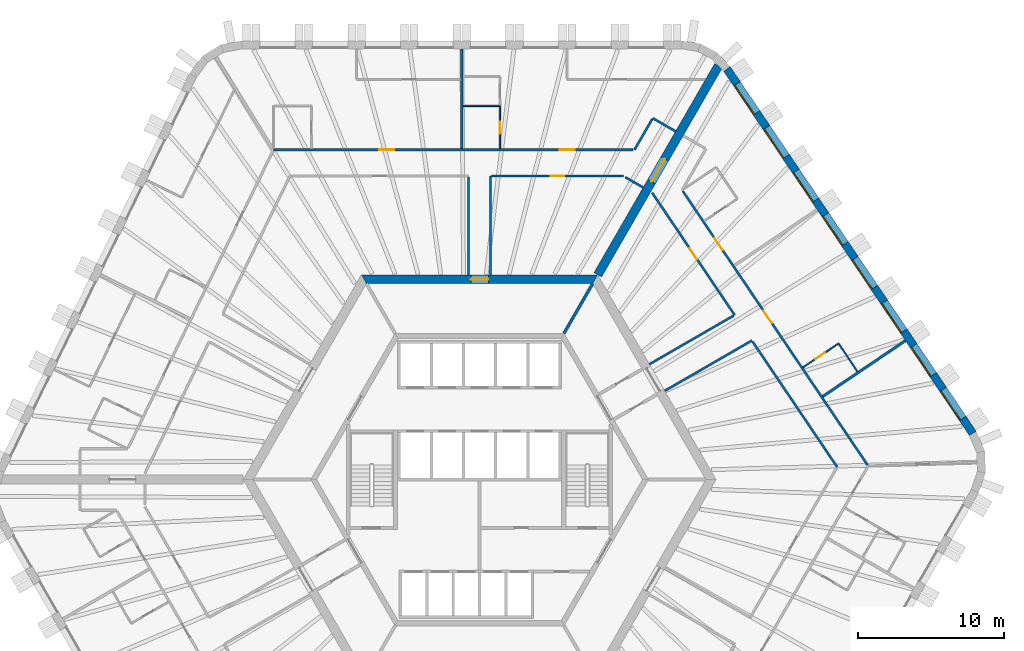
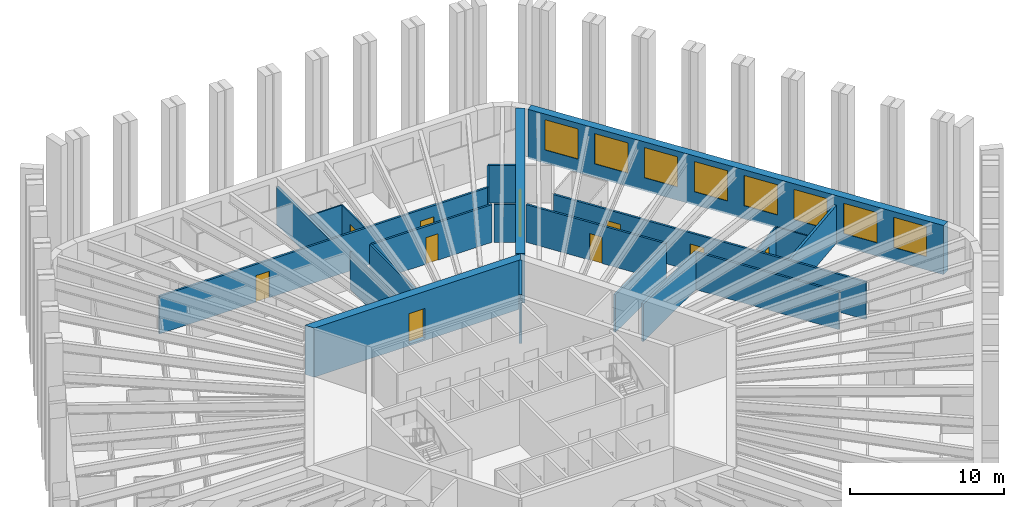
# One storey, part 9 of 12: 22 walls, 10 doors, 8 windows, 18 openings.
"""IFC4 building model written with IfcOpenShell, lengths in metres."""

import ifcopenshell
import ifcopenshell.guid

model = None  # the IFC model being written
_history = None  # IfcOwnerHistory: only IFC2X3 demands one
_inside = {}  # id of a spatial element -> (the spatial element, [elements in it])
_under = {}  # id of a project, library or spatial element -> (it, [spatial elements below it])
_declared = {}  # id of a project -> (the project, [libraries it declares])
_typed = {}  # id of a type object -> (the type object, [elements of that type])
_made_of = {}  # id of a material, layer set ... -> (it, [elements and type objects made of it])


def new_model(schema):
    """Start an empty IFC model of exactly this schema.

    Asked for "IFC4X3", IfcOpenShell would pick the latest addendum, in which some entities
    have other attributes; the version numbers below select the first issue.
    IFC2X3 requires an IfcOwnerHistory on every rooted entity: one is made here for all.
    """
    global model, _history
    if schema == "IFC4X3":
        model = ifcopenshell.file(schema_version=(4, 3, 0, 0))
    else:
        model = ifcopenshell.file(schema=schema)
    _inside.clear()
    _under.clear()
    _declared.clear()
    _typed.clear()
    _made_of.clear()
    _history = None
    if model.schema == "IFC2X3":
        org = make("IfcOrganization", Name="unknown")
        user = make(
            "IfcPersonAndOrganization",
            ThePerson=make("IfcPerson", FamilyName="unknown"),
            TheOrganization=org,
        )
        app = make(
            "IfcApplication",
            ApplicationDeveloper=org,
            Version="unknown",
            ApplicationFullName="unknown",
            ApplicationIdentifier="unknown",
        )
        _history = make(
            "IfcOwnerHistory",
            OwningUser=user,
            OwningApplication=app,
            ChangeAction="ADDED",
            CreationDate=0,
        )
    return model


def make(cls, **values):
    """One entity of the class cls with the attributes given. An attribute that is None is left unset."""
    return model.create_entity(
        cls, **{name: value for name, value in values.items() if value is not None}
    )


def rooted(cls, **values):
    """An entity with a GlobalId (a new one), such as an element, a storey or a relation."""
    return make(cls, GlobalId=ifcopenshell.guid.new(), OwnerHistory=_history, **values)


def si_unit(unit_type, name, prefix=None):
    """IfcSIUnit, for example si_unit("LENGTHUNIT", "METRE", prefix="MILLI")."""
    return make("IfcSIUnit", UnitType=unit_type, Prefix=prefix, Name=name)


def assignment(units):
    """IfcUnitAssignment: the units of a project."""
    return None if units is None else make("IfcUnitAssignment", Units=units)


def point(xyz):
    """IfcCartesianPoint."""
    return None if xyz is None else make("IfcCartesianPoint", Coordinates=xyz)


def direction(xyz):
    """IfcDirection."""
    return None if xyz is None else make("IfcDirection", DirectionRatios=xyz)


def frame(location, z_axis=None, x_axis=None):
    """IfcAxis2Placement3D, a coordinate frame: its origin and axes. An axis left out is left unset."""
    return make(
        "IfcAxis2Placement3D",
        Location=point(location),
        Axis=direction(z_axis),
        RefDirection=direction(x_axis),
    )


def frame_2d(location, x_axis=None):
    """IfcAxis2Placement2D, a coordinate frame in the plane: its origin and x axis."""
    return make(
        "IfcAxis2Placement2D", Location=point(location), RefDirection=direction(x_axis)
    )


def origin():
    """The frame at (0, 0, 0) with its axes left unset."""
    return frame((0.0, 0.0, 0.0))


def place(relative_to, where):
    """IfcLocalPlacement: puts the frame where relative to a parent placement (None: the world)."""
    return make(
        "IfcLocalPlacement", PlacementRelTo=relative_to, RelativePlacement=where
    )


def context(
    kind, dimensions, precision=None, world=None, true_north=None, identifier=None
):
    """IfcGeometricRepresentationContext, for example the 3D "Model" context."""
    return make(
        "IfcGeometricRepresentationContext",
        ContextIdentifier=identifier,
        ContextType=kind,
        CoordinateSpaceDimension=dimensions,
        Precision=precision,
        WorldCoordinateSystem=world,
        TrueNorth=true_north,
    )


def subcontext(parent, identifier, kind, view, scale=None):
    """IfcGeometricRepresentationSubContext, for example "Body" below "Model"."""
    return make(
        "IfcGeometricRepresentationSubContext",
        ContextIdentifier=identifier,
        ContextType=kind,
        ParentContext=parent,
        TargetScale=scale,
        TargetView=view,
    )


def project(units=None, contexts=None):
    """IfcProject with its units and contexts."""
    return rooted(
        "IfcProject",
        Name="project",
        RepresentationContexts=contexts,
        UnitsInContext=assignment(units),
    )


def spatial(cls, under=None, at=None, **own):
    """A site, building, storey or space (cls), placed at a placement, below another one or the project."""
    s = rooted(cls, ObjectPlacement=at, **own)
    if under is not None:
        _under.setdefault(under.id(), (under, []))[1].append(s)
    return s


def polyline(points):
    """IfcPolyline through the points."""
    return make("IfcPolyline", Points=[point(p) for p in points])


def profile(cls, at=None, kind="AREA", **sizes):
    """A parametric profile (cls). Its sizes go by their IFC names, for example OverallWidth=200.0."""
    return make(cls, ProfileType=kind, Position=at, **sizes)


def rectangle(**sizes):
    """IfcRectangleProfileDef."""
    return profile("IfcRectangleProfileDef", **sizes)


def outline(outer, holes=None, kind="AREA"):
    """IfcArbitraryClosedProfileDef: a profile drawn as a closed curve; with holes, ...WithVoids."""
    if holes is None:
        return make("IfcArbitraryClosedProfileDef", ProfileType=kind, OuterCurve=outer)
    return make(
        "IfcArbitraryProfileDefWithVoids",
        ProfileType=kind,
        OuterCurve=outer,
        InnerCurves=holes,
    )


def extrude(swept, where, along, depth):
    """IfcExtrudedAreaSolid: the profile swept, set in the frame where, extruded along a direction by depth."""
    return make(
        "IfcExtrudedAreaSolid",
        SweptArea=swept,
        Position=where,
        ExtrudedDirection=direction(along),
        Depth=depth,
    )


def shape(context_of_items, identifier, shape_type, items):
    """IfcShapeRepresentation: the items that make up one representation, for example the "Body"."""
    return make(
        "IfcShapeRepresentation",
        ContextOfItems=context_of_items,
        RepresentationIdentifier=identifier,
        RepresentationType=shape_type,
        Items=items,
    )


def material(Name=None, Category=None):
    """IfcMaterial."""
    return make("IfcMaterial", Name=Name, Category=Category)


def layer(
    of_material, thickness, ventilated=None, Name=None, Category=None, Priority=None
):
    """IfcMaterialLayer: one layer of a wall or slab, of a material (None: an air gap)."""
    return make(
        "IfcMaterialLayer",
        Material=of_material,
        LayerThickness=thickness,
        IsVentilated=ventilated,
        Name=Name,
        Category=Category,
        Priority=Priority,
    )


def layer_set(layers, Name=None):
    """IfcMaterialLayerSet."""
    return make("IfcMaterialLayerSet", MaterialLayers=layers, LayerSetName=Name)


def made_of(thing, what):
    """Note that an element or type object is made of a material, layer set ...; save() writes the relation."""
    if what is not None:
        _made_of.setdefault(what.id(), (what, []))[1].append(thing)
    return thing


def type_object(cls, material=None, **own):
    """A type object (cls), such as IfcWallType, which elements share."""
    return made_of(rooted(cls, **own), material)


def element(
    cls,
    number,
    at=None,
    inside=None,
    cuts=None,
    type_object=None,
    material=None,
    context=None,
    identifier="Body",
    shape_type=None,
    held_by="IfcProductDefinitionShape",
    body=None,
    shapes=None,
    **own,
):
    """One element of the class cls, such as IfcWall. Its Tag is "e" and its number.

    at: its placement. inside: the storey or other place that contains it. cuts: it is an
    opening in that element (IfcRelVoidsElement). A single representation is given by context,
    identifier, shape_type and body (its items); several are given by shapes. held_by: the class
    of the entity that holds the representations. save() writes the other relations.
    """
    e = rooted(cls, Tag="e%d" % number, ObjectPlacement=at, **own)
    if body is not None:
        shapes = [shape(context, identifier, shape_type, body)]
    if shapes is not None:
        e.Representation = make(held_by, Representations=shapes)
    if inside is not None:
        _inside.setdefault(inside.id(), (inside, []))[1].append(e)
    if cuts is not None:
        rooted(
            "IfcRelVoidsElement", RelatingBuildingElement=cuts, RelatedOpeningElement=e
        )
    if type_object is not None:
        _typed.setdefault(type_object.id(), (type_object, []))[1].append(e)
    return made_of(e, material)


def fill(opening, filler):
    """IfcRelFillsElement: the door or window that sits in an opening."""
    return rooted(
        "IfcRelFillsElement",
        RelatingOpeningElement=opening,
        RelatedBuildingElement=filler,
    )


def aggregate(whole, parts):
    """IfcRelAggregates: a whole, such as a stair, and the parts it consists of."""
    return rooted("IfcRelAggregates", RelatingObject=whole, RelatedObjects=parts)


def save(model, path):
    """Write the relations noted so far, then the file.

    IfcRelAggregates (storeys below a building ...), IfcRelContainedInSpatialStructure (elements
    in a storey), IfcRelDefinesByType, IfcRelAssociatesMaterial and IfcRelDeclares: one each for
    every whole, place, type object, material and project.
    """
    for whole, parts in _under.values():
        aggregate(whole, parts)
    for where, things in _inside.values():
        rooted(
            "IfcRelContainedInSpatialStructure",
            RelatedElements=things,
            RelatingStructure=where,
        )
    for kind, things in _typed.values():
        rooted("IfcRelDefinesByType", RelatedObjects=things, RelatingType=kind)
    for what, things in _made_of.values():
        rooted("IfcRelAssociatesMaterial", RelatedObjects=things, RelatingMaterial=what)
    for by, libraries in _declared.values():
        rooted("IfcRelDeclares", RelatingContext=by, RelatedDefinitions=libraries)
    model.write(path)


model = new_model("IFC4")

# Units and contexts
model_context = context("Model", 3, precision=1e-05, world=origin(), true_north=direction((0.0, 1.0)))
body_context = subcontext(model_context, "Body", "Model", "MODEL_VIEW")
ifc_project = project(units=[si_unit("LENGTHUNIT", "METRE"), si_unit("AREAUNIT", "SQUARE_METRE"), si_unit("VOLUMEUNIT", "CUBIC_METRE"), si_unit("PLANEANGLEUNIT", "RADIAN"), si_unit("MASSUNIT", "GRAM", prefix="KILO")], contexts=[model_context])

# Site, building, storey
site_placement = place(None, origin())
site = spatial("IfcSite", under=ifc_project, at=site_placement, CompositionType="ELEMENT")
building_placement = place(site_placement, origin())
building = spatial("IfcBuilding", under=site, at=building_placement, Name="Tarnside Tower", CompositionType="ELEMENT")
storey_placement = place(building_placement, frame((0.0, 0.0, 49.199951171875)))
storey = spatial("IfcBuildingStorey", under=building, at=storey_placement, Name="L09", CompositionType="ELEMENT", Elevation=49.199951171875)

# Wall, opening, door
ifc_material_1 = material(Name="Gypsum board partition on steel studs", Category="steel")
ifc_layer_1 = layer(ifc_material_1, 0.10009765625)
ifc_layer_set_1 = layer_set([ifc_layer_1], Name="Bathroom wall 100")
wall_type_1 = type_object("IfcWallType", Name="Bathroom wall 100", PredefinedType="PARTITIONING", material=ifc_layer_set_1)
wall_1_placement = place(storey_placement, frame((1.388916015625, 25.550048828125, 0.0), z_axis=(0.0, 0.0, 1.0), x_axis=(0.0, -1.0, 0.0)))
wall_1 = element("IfcWall", 1, at=wall_1_placement, inside=storey, type_object=wall_type_1, Name="Bathroom wall 02072", PredefinedType="PARTITIONING", context=body_context, shape_type="SweptSolid", body=[
    extrude(rectangle(XDim=2.925048828125, YDim=0.10009765625, at=frame_2d((1.46240234375, 0.0))), origin(), (0.0, 0.0, 1.0), 2.98779296875),
])
opening_1_placement = place(wall_1_placement, frame((1.10009765625, 0.0, 0.0)))
opening_1 = element("IfcOpeningElement", 2, at=opening_1_placement, cuts=wall_1, Name="Opening D-B1", PredefinedType="OPENING", context=body_context, shape_type="SweptSolid", body=[
    extrude(rectangle(XDim=0.800048828125, YDim=2.10009765625, at=frame_2d((0.39990234375, 1.050048828125))), frame((0.0, 0.06005859375, 0.0), z_axis=(0.0, -1.0, 0.0), x_axis=(1.0, 0.0, 0.0)), (0.0, 0.0, 1.0), 0.1201171875),
])
ifc_material_2 = material(Name="Timber door leaf", Category="wood")
door_type_1 = type_object("IfcDoorType", Name="Bathroom door 800", OperationType="NOTDEFINED", PredefinedType="DOOR", material=ifc_material_2)
door_1_placement = place(opening_1_placement, origin())
door_1 = element("IfcDoor", 3, at=door_1_placement, inside=storey, type_object=door_type_1, Name="Bathroom door 02002", OperationType="SINGLE_SWING_LEFT", OverallHeight=2.10009765625, OverallWidth=0.800048828125, PredefinedType="DOOR", context=body_context, shape_type="SweptSolid", body=[
    extrude(rectangle(XDim=0.800048828125, YDim=2.10009765625, at=frame_2d((0.39990234375, 1.050048828125))), frame((0.0, 0.02490234375, 0.0), z_axis=(0.0, -1.0, 0.0), x_axis=(1.0, 0.0, 0.0)), (0.0, 0.0, 1.0), 0.050048828125),
])
fill(opening_1, door_1)

# Wall
wall_2_placement = place(storey_placement, frame((1.3388671875, 25.550048828125, 0.0), z_axis=(0.0, 0.0, 1.0), x_axis=(-1.0, 0.0, 0.0)))
element("IfcWall", 4, at=wall_2_placement, inside=storey, type_object=wall_type_1, Name="Bathroom wall 02078", PredefinedType="PARTITIONING", context=body_context, shape_type="SweptSolid", body=[
    extrude(rectangle(XDim=2.4599609375, YDim=0.10009765625, at=frame_2d((1.22998046875, 0.0))), origin(), (0.0, 0.0, 1.0), 2.98779296875),
])

# Wall, opening, door
wall_3_placement = place(storey_placement, frame((22.118408203125, 7.668212890625, 0.0), z_axis=(0.0, 0.0, 1.0), x_axis=(0.829007334469, 0.559237730663, 0.0)))
wall_3 = element("IfcWall", 5, at=wall_3_placement, inside=storey, type_object=wall_type_1, Name="Bathroom wall 02148", PredefinedType="PARTITIONING", context=body_context, shape_type="SweptSolid", body=[
    extrude(rectangle(XDim=2.925048828125, YDim=0.10009765625, at=frame_2d((1.46240234375, 0.0))), origin(), (0.0, 0.0, 1.0), 2.98779296875),
])
opening_2_placement = place(wall_3_placement, frame((1.02490234375, 0.0, 0.0)))
opening_2 = element("IfcOpeningElement", 6, at=opening_2_placement, cuts=wall_3, Name="Opening D-B1", PredefinedType="OPENING", context=body_context, shape_type="SweptSolid", body=[
    extrude(rectangle(XDim=0.800048828125, YDim=2.10009765625, at=frame_2d((0.39990234375, 1.050048828125))), frame((0.0, 0.06005859375, 0.0), z_axis=(0.0, -1.0, 0.0), x_axis=(1.0, 0.0, 0.0)), (0.0, 0.0, 1.0), 0.1201171875),
])
door_2_placement = place(opening_2_placement, origin())
door_2 = element("IfcDoor", 7, at=door_2_placement, inside=storey, type_object=door_type_1, Name="Bathroom door 02038", OperationType="SINGLE_SWING_RIGHT", OverallHeight=2.10009765625, OverallWidth=0.800048828125, PredefinedType="DOOR", context=body_context, shape_type="SweptSolid", body=[
    extrude(rectangle(XDim=0.800048828125, YDim=2.10009765625, at=frame_2d((0.39990234375, 1.050048828125))), frame((0.0, 0.02490234375, 0.0), z_axis=(0.0, -1.0, 0.0), x_axis=(1.0, 0.0, 0.0)), (0.0, 0.0, 1.0), 0.050048828125),
])
fill(opening_2, door_2)

# Wall
wall_4_placement = place(storey_placement, frame((24.5712890625, 9.262451171875, 0.0), z_axis=(0.0, 0.0, 1.0), x_axis=(0.559179660023, -0.829046505219, 0.0)))
element("IfcWall", 8, at=wall_4_placement, inside=storey, type_object=wall_type_1, Name="Bathroom wall 02149", PredefinedType="PARTITIONING", context=body_context, shape_type="SweptSolid", body=[
    extrude(rectangle(XDim=2.259765625, YDim=0.10009765625, at=frame_2d((1.1298828125, 0.0))), origin(), (0.0, 0.0, 1.0), 2.98779296875),
])

# Wall, opening, door
ifc_material_3 = material(Name="Concrete C80/95", Category="concrete")
ifc_layer_2 = layer(ifc_material_3, 0.60009765625)
ifc_layer_set_2 = layer_set([ifc_layer_2], Name="Core wall Z1 600 C80/95")
wall_type_2 = type_object("IfcWallType", Name="Core wall Z1 600 C80/95", PredefinedType="SHEAR", material=ifc_layer_set_2)
wall_5_placement = place(storey_placement, frame((7.90966796875, 13.699951171875, -0.14990234375), z_axis=(0.0, 0.0, 1.0), x_axis=(-1.0, 0.0, 0.0)))
wall_5 = element("IfcWall", 9, at=wall_5_placement, inside=storey, type_object=wall_type_2, Name="L09 core wall face 1", PredefinedType="SHEAR", context=body_context, shape_type="SweptSolid", body=[
    extrude(outline(polyline([(-0.17333984375, -0.300048828125), (15.99267578125, -0.300048828125), (15.64599609375, 0.300048828125), (0.17333984375, 0.300048828125), (-0.17333984375, -0.300048828125)])), origin(), (0.0, 0.0, 1.0), 3.89990234375),
])
opening_3_placement = place(wall_5_placement, frame((7.309814453125, 0.0, 0.14990234375)))
opening_3 = element("IfcOpeningElement", 10, at=opening_3_placement, cuts=wall_5, Name="Opening CD-RSR", PredefinedType="OPENING", context=body_context, shape_type="SweptSolid", body=[
    extrude(rectangle(XDim=1.199951171875, YDim=2.39990234375, at=frame_2d((0.60009765625, 1.199951171875))), frame((0.0, 0.31005859375, 0.0), z_axis=(0.0, -1.0, 0.0), x_axis=(1.0, 0.0, 0.0)), (0.0, 0.0, 1.0), 0.6201171875),
])
ifc_material_4 = material(Name="Steel fire door", Category="steel")
door_type_2 = type_object("IfcDoorType", Name="Riser door FD60 1200x2400", OperationType="NOTDEFINED", PredefinedType="DOOR", material=ifc_material_4)
door_3_placement = place(opening_3_placement, origin())
door_3 = element("IfcDoor", 11, at=door_3_placement, inside=storey, type_object=door_type_2, Name="L09 core door S5", OperationType="SINGLE_SWING_LEFT", OverallHeight=2.39990234375, OverallWidth=1.199951171875, PredefinedType="DOOR", context=body_context, shape_type="SweptSolid", body=[
    extrude(rectangle(XDim=1.199951171875, YDim=2.39990234375, at=frame_2d((0.60009765625, 1.199951171875))), frame((0.0, 0.02490234375, 0.0), z_axis=(0.0, -1.0, 0.0), x_axis=(1.0, 0.0, 0.0)), (0.0, 0.0, 1.0), 0.050048828125),
])
fill(opening_3, door_3)

wall_6_placement = place(storey_placement, frame((8.0830078125, 14.0, -0.14990234375), z_axis=(0.0, 0.0, 1.0), x_axis=(0.499997680643, 0.866026742862, 0.0)))
wall_6 = element("IfcWall", 12, at=wall_6_placement, inside=storey, type_object=wall_type_2, Name="L09 spine wall 1", PredefinedType="SHEAR", context=body_context, shape_type="SweptSolid", body=[
    extrude(rectangle(XDim=16.5087890625, YDim=0.60009765625, at=frame_2d((8.25439453125, 0.0))), origin(), (0.0, 0.0, 1.0), 3.89990234375),
])
opening_4_placement = place(wall_6_placement, frame((7.3544921875, 0.0, 0.14990234375)))
opening_4 = element("IfcOpeningElement", 13, at=opening_4_placement, cuts=wall_6, Name="Opening CD-SPN", PredefinedType="OPENING", context=body_context, shape_type="SweptSolid", body=[
    extrude(rectangle(XDim=1.800048828125, YDim=2.39990234375, at=frame_2d((0.89990234375, 1.199951171875))), frame((0.0, 0.31005859375, 0.0), z_axis=(0.0, -1.0, 0.0), x_axis=(1.0, 0.0, 0.0)), (0.0, 0.0, 1.0), 0.6201171875),
])
door_type_3 = type_object("IfcDoorType", Name="Spine passage double door FD60 1800x2400", OperationType="NOTDEFINED", PredefinedType="DOOR", material=ifc_material_4)
door_4_placement = place(opening_4_placement, origin())
door_4 = element("IfcDoor", 14, at=door_4_placement, inside=storey, type_object=door_type_3, Name="L09 spine passage door 1", OperationType="DOUBLE_DOOR_SINGLE_SWING", OverallHeight=2.39990234375, OverallWidth=1.800048828125, PredefinedType="DOOR", context=body_context, shape_type="SweptSolid", body=[
    extrude(rectangle(XDim=1.800048828125, YDim=2.39990234375, at=frame_2d((0.89990234375, 1.199951171875))), frame((0.0, 0.02490234375, 0.0), z_axis=(0.0, -1.0, 0.0), x_axis=(1.0, 0.0, 0.0)), (0.0, 0.0, 1.0), 0.050048828125),
])
fill(opening_4, door_4)

# Walls
ifc_layer_3 = layer(ifc_material_1, 0.14990234375)
ifc_layer_set_3 = layer_set([ifc_layer_3], Name="Corridor wall 150 EI 60")
wall_type_3 = type_object("IfcWallType", Name="Corridor wall 150 EI 60", PredefinedType="PARTITIONING", material=ifc_layer_set_3)
wall_7_placement = place(storey_placement, frame((13.400390625, 23.81005859375, 0.0), z_axis=(0.0, 0.0, 1.0), x_axis=(-0.865989075817, 0.500062916607, 0.0)))
element("IfcWall", 15, at=wall_7_placement, inside=storey, type_object=wall_type_3, Name="Corridor wall 02001", PredefinedType="PARTITIONING", context=body_context, shape_type="SweptSolid", body=[
    extrude(rectangle(XDim=1.800048828125, YDim=0.14990234375, at=frame_2d((0.89990234375, 0.0))), origin(), (0.0, 0.0, 1.0), 2.98779296875),
])
wall_8_placement = place(storey_placement, frame((11.803955078125, 24.64501953125, 0.0), z_axis=(0.0, 0.0, 1.0), x_axis=(-0.499981632079, -0.866036008249, 0.0)))
element("IfcWall", 16, at=wall_8_placement, inside=storey, type_object=wall_type_3, Name="Corridor wall 02002", PredefinedType="PARTITIONING", context=body_context, shape_type="SweptSolid", body=[
    extrude(rectangle(XDim=2.4189453125, YDim=0.14990234375, at=frame_2d((1.20947265625, 0.0))), origin(), (0.0, 0.0, 1.0), 2.98779296875),
])

# Wall, openings, doors
wall_9_placement = place(storey_placement, frame((10.5078125, 22.550048828125, 0.0), z_axis=(0.0, 0.0, 1.0), x_axis=(-1.0, 0.0, 0.0)))
wall_9 = element("IfcWall", 17, at=wall_9_placement, inside=storey, type_object=wall_type_3, Name="Corridor wall 02003", PredefinedType="PARTITIONING", context=body_context, shape_type="SweptSolid", body=[
    extrude(rectangle(XDim=24.5986328125, YDim=0.14990234375, at=frame_2d((12.29931640625, 0.0))), origin(), (0.0, 0.0, 1.0), 2.98779296875),
])
opening_5_placement = place(wall_9_placement, frame((4.01611328125, 0.0, 0.0)))
opening_5 = element("IfcOpeningElement", 18, at=opening_5_placement, cuts=wall_9, Name="Opening D-E1", PredefinedType="OPENING", context=body_context, shape_type="SweptSolid", body=[
    extrude(rectangle(XDim=1.0, YDim=2.10009765625, at=frame_2d((0.5, 1.050048828125))), frame((0.0, 0.0849609375, 0.0), z_axis=(0.0, -1.0, 0.0), x_axis=(1.0, 0.0, 0.0)), (0.0, 0.0, 1.0), 0.169921875),
])
opening_6_placement = place(wall_9_placement, frame((16.358642578125, 0.0, 0.0)))
opening_6 = element("IfcOpeningElement", 19, at=opening_6_placement, cuts=wall_9, Name="Opening D-E1", PredefinedType="OPENING", context=body_context, shape_type="SweptSolid", body=[
    extrude(rectangle(XDim=1.0, YDim=2.10009765625, at=frame_2d((0.5, 1.050048828125))), frame((0.0, 0.0849609375, 0.0), z_axis=(0.0, -1.0, 0.0), x_axis=(1.0, 0.0, 0.0)), (0.0, 0.0, 1.0), 0.169921875),
])
door_type_4 = type_object("IfcDoorType", Name="Unit entrance door 1000 FD30S", OperationType="NOTDEFINED", PredefinedType="DOOR", material=ifc_material_2)
door_5_placement = place(opening_5_placement, origin())
door_5 = element("IfcDoor", 20, at=door_5_placement, inside=storey, type_object=door_type_4, Name="Unit door 02001", OperationType="SINGLE_SWING_RIGHT", OverallHeight=2.10009765625, OverallWidth=1.0, PredefinedType="DOOR", context=body_context, shape_type="SweptSolid", body=[
    extrude(rectangle(XDim=1.0, YDim=2.10009765625, at=frame_2d((0.5, 1.050048828125))), frame((0.0, 0.02490234375, 0.0), z_axis=(0.0, -1.0, 0.0), x_axis=(1.0, 0.0, 0.0)), (0.0, 0.0, 1.0), 0.050048828125),
])
fill(opening_5, door_5)
door_6_placement = place(opening_6_placement, origin())
door_6 = element("IfcDoor", 21, at=door_6_placement, inside=storey, type_object=door_type_4, Name="Unit door 02005", OperationType="SINGLE_SWING_LEFT", OverallHeight=2.10009765625, OverallWidth=1.0, PredefinedType="DOOR", context=body_context, shape_type="SweptSolid", body=[
    extrude(rectangle(XDim=1.0, YDim=2.10009765625, at=frame_2d((0.5, 1.050048828125))), frame((0.0, 0.02490234375, 0.0), z_axis=(0.0, -1.0, 0.0), x_axis=(1.0, 0.0, 0.0)), (0.0, 0.0, 1.0), 0.050048828125),
])
fill(opening_6, door_6)

# Walls
wall_10_placement = place(storey_placement, frame((-0.75, 20.675048828125, 0.0), z_axis=(0.0, 0.0, 1.0), x_axis=(0.0, -1.0, 0.0)))
element("IfcWall", 22, at=wall_10_placement, inside=storey, type_object=wall_type_3, Name="Corridor wall 02016", PredefinedType="PARTITIONING", context=body_context, shape_type="SweptSolid", body=[
    extrude(rectangle(XDim=6.675048828125, YDim=0.14990234375, at=frame_2d((3.33740234375, 0.0))), origin(), (0.0, 0.0, 1.0), 2.98779296875),
])
wall_11_placement = place(storey_placement, frame((0.75, 14.0, 0.0), z_axis=(0.0, 0.0, 1.0), x_axis=(0.0, 1.0, 0.0)))
element("IfcWall", 23, at=wall_11_placement, inside=storey, type_object=wall_type_3, Name="Corridor wall 02017", PredefinedType="PARTITIONING", context=body_context, shape_type="SweptSolid", body=[
    extrude(rectangle(XDim=6.75, YDim=0.14990234375, at=frame_2d((3.375, 0.0))), origin(), (0.0, 0.0, 1.0), 2.98779296875),
])

# Wall, opening, door
wall_12_placement = place(storey_placement, frame((0.824951171875, 20.75, 0.0), z_axis=(0.0, 0.0, 1.0), x_axis=(1.0, 0.0, 0.0)))
wall_12 = element("IfcWall", 24, at=wall_12_placement, inside=storey, type_object=wall_type_3, Name="Corridor wall 02018", PredefinedType="PARTITIONING", context=body_context, shape_type="SweptSolid", body=[
    extrude(rectangle(XDim=9.008056640625, YDim=0.14990234375, at=frame_2d((4.50390625, 0.0))), origin(), (0.0, 0.0, 1.0), 2.98779296875),
])
opening_7_placement = place(wall_12_placement, frame((4.053955078125, 0.0, 0.0)))
opening_7 = element("IfcOpeningElement", 25, at=opening_7_placement, cuts=wall_12, Name="Opening D-S1", PredefinedType="OPENING", context=body_context, shape_type="SweptSolid", body=[
    extrude(rectangle(XDim=0.89990234375, YDim=2.10009765625, at=frame_2d((0.449951171875, 1.050048828125))), frame((0.0, 0.0849609375, 0.0), z_axis=(0.0, -1.0, 0.0), x_axis=(1.0, 0.0, 0.0)), (0.0, 0.0, 1.0), 0.169921875),
])
door_type_5 = type_object("IfcDoorType", Name="Service room door 900 FD30S", OperationType="NOTDEFINED", PredefinedType="DOOR", material=ifc_material_2)
door_7_placement = place(opening_7_placement, origin())
door_7 = element("IfcDoor", 26, at=door_7_placement, inside=storey, type_object=door_type_5, Name="Service door 02042", OperationType="SINGLE_SWING_LEFT", OverallHeight=2.10009765625, OverallWidth=0.89990234375, PredefinedType="DOOR", context=body_context, shape_type="SweptSolid", body=[
    extrude(rectangle(XDim=0.89990234375, YDim=2.10009765625, at=frame_2d((0.449951171875, 1.050048828125))), frame((0.0, 0.02490234375, 0.0), z_axis=(0.0, -1.0, 0.0), x_axis=(1.0, 0.0, 0.0)), (0.0, 0.0, 1.0), 0.050048828125),
])
fill(opening_7, door_7)

# Wall
wall_13_placement = place(storey_placement, frame((9.962890625, 20.675048828125, 0.0), z_axis=(0.0, 0.0, 1.0), x_axis=(0.865963438852, -0.500107311056, 0.0)))
element("IfcWall", 27, at=wall_13_placement, inside=storey, type_object=wall_type_3, Name="Corridor wall 02019", PredefinedType="PARTITIONING", context=body_context, shape_type="SweptSolid", body=[
    extrude(rectangle(XDim=1.409423828125, YDim=0.14990234375, at=frame_2d((0.70458984375, 0.0))), origin(), (0.0, 0.0, 1.0), 2.98779296875),
])

# Wall, openings, doors
wall_14_placement = place(storey_placement, frame((26.527587890625, 0.9970703125, 0.0), z_axis=(0.0, 0.0, 1.0), x_axis=(-0.559192121846, 0.829038099767, 0.0)))
wall_14 = element("IfcWall", 28, at=wall_14_placement, inside=storey, type_object=wall_type_3, Name="Corridor wall 02056", PredefinedType="PARTITIONING", context=body_context, shape_type="SweptSolid", body=[
    extrude(rectangle(XDim=22.5859375, YDim=0.14990234375, at=frame_2d((11.29296875, 0.0))), origin(), (0.0, 0.0, 1.0), 2.98779296875),
])
opening_8_placement = place(wall_14_placement, frame((11.6962890625, 0.0, 0.0)))
opening_8 = element("IfcOpeningElement", 29, at=opening_8_placement, cuts=wall_14, Name="Opening D-E1", PredefinedType="OPENING", context=body_context, shape_type="SweptSolid", body=[
    extrude(rectangle(XDim=1.0, YDim=2.10009765625, at=frame_2d((0.5, 1.050048828125))), frame((0.0, 0.0849609375, 0.0), z_axis=(0.0, -1.0, 0.0), x_axis=(1.0, 0.0, 0.0)), (0.0, 0.0, 1.0), 0.169921875),
])
opening_9_placement = place(wall_14_placement, frame((17.732666015625, 0.0, 0.0)))
opening_9 = element("IfcOpeningElement", 30, at=opening_9_placement, cuts=wall_14, Name="Opening D-E1", PredefinedType="OPENING", context=body_context, shape_type="SweptSolid", body=[
    extrude(rectangle(XDim=1.0, YDim=2.10009765625, at=frame_2d((0.5, 1.050048828125))), frame((0.0, 0.0849609375, 0.0), z_axis=(0.0, -1.0, 0.0), x_axis=(1.0, 0.0, 0.0)), (0.0, 0.0, 1.0), 0.169921875),
])
door_8_placement = place(opening_8_placement, origin())
door_8 = element("IfcDoor", 31, at=door_8_placement, inside=storey, type_object=door_type_4, Name="Unit door 02037", OperationType="SINGLE_SWING_RIGHT", OverallHeight=2.10009765625, OverallWidth=1.0, PredefinedType="DOOR", context=body_context, shape_type="SweptSolid", body=[
    extrude(rectangle(XDim=1.0, YDim=2.10009765625, at=frame_2d((0.5, 1.050048828125))), frame((0.0, 0.02490234375, 0.0), z_axis=(0.0, -1.0, 0.0), x_axis=(1.0, 0.0, 0.0)), (0.0, 0.0, 1.0), 0.050048828125),
])
fill(opening_8, door_8)
door_9_placement = place(opening_9_placement, origin())
door_9 = element("IfcDoor", 32, at=door_9_placement, inside=storey, type_object=door_type_4, Name="Unit door 02039", OperationType="SINGLE_SWING_LEFT", OverallHeight=2.10009765625, OverallWidth=1.0, PredefinedType="DOOR", context=body_context, shape_type="SweptSolid", body=[
    extrude(rectangle(XDim=1.0, YDim=2.10009765625, at=frame_2d((0.5, 1.050048828125))), frame((0.0, 0.02490234375, 0.0), z_axis=(0.0, -1.0, 0.0), x_axis=(1.0, 0.0, 0.0)), (0.0, 0.0, 1.0), 0.050048828125),
])
fill(opening_9, door_9)

# Walls
wall_15_placement = place(storey_placement, frame((12.663818359375, 6.065673828125, 0.0), z_axis=(0.0, 0.0, 1.0), x_axis=(0.866027716353, 0.499995994493, 0.0)))
element("IfcWall", 33, at=wall_15_placement, inside=storey, type_object=wall_type_3, Name="Corridor wall 02063", PredefinedType="PARTITIONING", context=body_context, shape_type="SweptSolid", body=[
    extrude(rectangle(XDim=6.8759765625, YDim=0.14990234375, at=frame_2d((3.43798828125, 0.0))), origin(), (0.0, 0.0, 1.0), 2.98779296875),
])
wall_16_placement = place(storey_placement, frame((18.66064453125, 9.44140625, 0.0), z_axis=(0.0, 0.0, 1.0), x_axis=(0.559206469148, -0.829028422229, 0.0)))
element("IfcWall", 34, at=wall_16_placement, inside=storey, type_object=wall_type_3, Name="Corridor wall 02064", PredefinedType="PARTITIONING", context=body_context, shape_type="SweptSolid", body=[
    extrude(rectangle(XDim=10.3583984375, YDim=0.14990234375, at=frame_2d((5.17919921875, 0.0))), origin(), (0.0, 0.0, 1.0), 2.98779296875),
])

# Wall, opening, door
wall_17_placement = place(storey_placement, frame((11.79833984375, 19.615234375, 0.0), z_axis=(0.0, 0.0, 1.0), x_axis=(0.559191941468, -0.829038221434, 0.0)))
wall_17 = element("IfcWall", 35, at=wall_17_placement, inside=storey, type_object=wall_type_3, Name="Corridor wall 02070", PredefinedType="PARTITIONING", context=body_context, shape_type="SweptSolid", body=[
    extrude(rectangle(XDim=10.091552734375, YDim=0.14990234375, at=frame_2d((5.0458984375, 0.0))), origin(), (0.0, 0.0, 1.0), 2.98779296875),
])
opening_10_placement = place(wall_17_placement, frame((4.595703125, 0.0, 0.0)))
opening_10 = element("IfcOpeningElement", 36, at=opening_10_placement, cuts=wall_17, Name="Opening D-S1", PredefinedType="OPENING", context=body_context, shape_type="SweptSolid", body=[
    extrude(rectangle(XDim=0.89990234375, YDim=2.10009765625, at=frame_2d((0.449951171875, 1.050048828125))), frame((0.0, 0.0849609375, 0.0), z_axis=(0.0, -1.0, 0.0), x_axis=(1.0, 0.0, 0.0)), (0.0, 0.0, 1.0), 0.169921875),
])
door_10_placement = place(opening_10_placement, origin())
door_10 = element("IfcDoor", 37, at=door_10_placement, inside=storey, type_object=door_type_5, Name="Service door 02049", OperationType="SINGLE_SWING_LEFT", OverallHeight=2.10009765625, OverallWidth=0.89990234375, PredefinedType="DOOR", context=body_context, shape_type="SweptSolid", body=[
    extrude(rectangle(XDim=0.89990234375, YDim=2.10009765625, at=frame_2d((0.449951171875, 1.050048828125))), frame((0.0, 0.02490234375, 0.0), z_axis=(0.0, -1.0, 0.0), x_axis=(1.0, 0.0, 0.0)), (0.0, 0.0, 1.0), 0.050048828125),
])
fill(opening_10, door_10)

# Walls
wall_18_placement = place(storey_placement, frame((17.37646484375, 11.21142578125, 0.0), z_axis=(0.0, 0.0, 1.0), x_axis=(-0.866021841149, -0.500006170614, 0.0)))
element("IfcWall", 38, at=wall_18_placement, inside=storey, type_object=wall_type_3, Name="Corridor wall 02071", PredefinedType="PARTITIONING", context=body_context, shape_type="SweptSolid", body=[
    extrude(rectangle(XDim=6.654296875, YDim=0.14990234375, at=frame_2d((3.3271484375, 0.0))), origin(), (0.0, 0.0, 1.0), 2.98779296875),
])
ifc_layer_4 = layer(ifc_material_1, 0.179931640625)
ifc_layer_set_4 = layer_set([ifc_layer_4], Name="Demising wall 180 EI 60")
wall_type_4 = type_object("IfcWallType", Name="Demising wall 180 EI 60", PredefinedType="PARTITIONING", material=ifc_layer_set_4)
for number, where, z_axis, x_axis, name in (
    (39, (-1.2109375, 29.449951171875, 0.0), (0.0, 0.0, 1.0), (0.0, -1.0, 0.0), "Demising wall 02077"),
    (40, (29.11865234375, 9.4951171875, 0.0), (0.0, 0.0, 1.0), (-0.829044361536, -0.559182838261, 0.0), "Demising wall 02146"),
):
    element("IfcWall", number, at=place(storey_placement, frame(where, z_axis=z_axis, x_axis=x_axis)), inside=storey, type_object=wall_type_4, Name=name, PredefinedType="PARTITIONING", context=body_context, shape_type="SweptSolid", body=[
        extrude(rectangle(XDim=6.824951171875, YDim=0.179931640625, at=frame_2d((3.41259765625, 0.0))), origin(), (0.0, 0.0, 1.0), 2.98779296875),
    ])
ifc_material_5 = material(Name="Concrete C40/50", Category="concrete")
ifc_layer_5 = layer(ifc_material_5, 0.199951171875)
ifc_layer_set_5 = layer_set([ifc_layer_5], Name="Lift shaft wall 200 C40/50")
wall_type_5 = type_object("IfcWallType", Name="Lift shaft wall 200 C40/50", PredefinedType="SHEAR", material=ifc_layer_set_5)
wall_19_placement = place(storey_placement, frame((5.7734375, 10.0, -0.14990234375), z_axis=(0.0, 0.0, 1.0), x_axis=(0.500038251005, 0.86600331843, 0.0)))
element("IfcWall", 41, at=wall_19_placement, inside=storey, type_object=wall_type_5, Name="L09 core partition AR60", PredefinedType="SHEAR", context=body_context, shape_type="SweptSolid", body=[
    extrude(rectangle(XDim=3.926025390625, YDim=0.199951171875, at=frame_2d((1.962890625, 0.0))), origin(), (0.0, 0.0, 1.0), 3.89990234375),
])

# Wall, openings, windows
ifc_material_6 = material(Name="Facing brick", Category="masonry")
ifc_layer_6 = layer(ifc_material_6, 0.10205078125)
ifc_material_7 = material(Name="Concrete C60/75 precast", Category="concrete")
ifc_layer_7 = layer(ifc_material_7, 0.347900390625)
ifc_material_8 = material(Name="Mineral wool insulation")
ifc_layer_8 = layer(ifc_material_8, 0.10009765625)
ifc_layer_set_6 = layer_set([ifc_layer_6, ifc_layer_7, ifc_layer_8], Name="Tube wall 550 brick faced")
wall_type_6 = type_object("IfcWallType", Name="Tube wall 550 brick faced", PredefinedType="SOLIDWALL", material=ifc_layer_set_6)
wall_20_placement = place(storey_placement, frame((33.72802734375, 3.153076171875, -0.14990234375), z_axis=(0.0, 0.0, 1.0), x_axis=(-0.559192411416, 0.82903790445, 0.0)))
wall_20 = element("IfcWall", 42, at=wall_20_placement, inside=storey, type_object=wall_type_6, Name="Tube wall L09 F6 flush 20", PredefinedType="SOLIDWALL", context=body_context, shape_type="SweptSolid", body=[
    extrude(outline(polyline([(-0.025634765625, -0.27490234375), (30.09326171875, -0.27490234375), (30.04833984375, 0.27490234375), (0.025634765625, 0.27490234375), (-0.025634765625, -0.27490234375)])), origin(), (0.0, 0.0, 1.0), 3.89990234375),
])
opening_11_placement = place(wall_20_placement, frame((1.235595703125, 0.0, 1.050048828125)))
opening_11 = element("IfcOpeningElement", 43, at=opening_11_placement, cuts=wall_20, Name="Opening WH", PredefinedType="OPENING", context=body_context, shape_type="SweptSolid", body=[
    extrude(rectangle(XDim=2.39990234375, YDim=2.39990234375, at=frame_2d((1.199951171875, 1.199951171875))), frame((0.0, 0.28515625, 0.0), z_axis=(0.0, -1.0, 0.0), x_axis=(1.0, 0.0, 0.0)), (0.0, 0.0, 1.0), 0.570068359375),
])
opening_12_placement = place(wall_20_placement, frame((4.83544921875, 0.0, 1.050048828125)))
opening_12 = element("IfcOpeningElement", 44, at=opening_12_placement, cuts=wall_20, Name="Opening WH", PredefinedType="OPENING", context=body_context, shape_type="SweptSolid", body=[
    extrude(rectangle(XDim=2.39990234375, YDim=2.39990234375, at=frame_2d((1.199951171875, 1.199951171875))), frame((0.0, 0.28515625, 0.0), z_axis=(0.0, -1.0, 0.0), x_axis=(1.0, 0.0, 0.0)), (0.0, 0.0, 1.0), 0.570068359375),
])
opening_13_placement = place(wall_20_placement, frame((8.435546875, 0.0, 1.050048828125)))
opening_13 = element("IfcOpeningElement", 45, at=opening_13_placement, cuts=wall_20, Name="Opening WH", PredefinedType="OPENING", context=body_context, shape_type="SweptSolid", body=[
    extrude(rectangle(XDim=2.39990234375, YDim=2.39990234375, at=frame_2d((1.199951171875, 1.199951171875))), frame((0.0, 0.28515625, 0.0), z_axis=(0.0, -1.0, 0.0), x_axis=(1.0, 0.0, 0.0)), (0.0, 0.0, 1.0), 0.570068359375),
])
opening_14_placement = place(wall_20_placement, frame((12.035400390625, 0.0, 1.050048828125)))
opening_14 = element("IfcOpeningElement", 46, at=opening_14_placement, cuts=wall_20, Name="Opening WH", PredefinedType="OPENING", context=body_context, shape_type="SweptSolid", body=[
    extrude(rectangle(XDim=2.39990234375, YDim=2.39990234375, at=frame_2d((1.199951171875, 1.199951171875))), frame((0.0, 0.28515625, 0.0), z_axis=(0.0, -1.0, 0.0), x_axis=(1.0, 0.0, 0.0)), (0.0, 0.0, 1.0), 0.570068359375),
])
opening_15_placement = place(wall_20_placement, frame((15.635498046875, 0.0, 1.050048828125)))
opening_15 = element("IfcOpeningElement", 47, at=opening_15_placement, cuts=wall_20, Name="Opening WH", PredefinedType="OPENING", context=body_context, shape_type="SweptSolid", body=[
    extrude(rectangle(XDim=2.39990234375, YDim=2.39990234375, at=frame_2d((1.199951171875, 1.199951171875))), frame((0.0, 0.28515625, 0.0), z_axis=(0.0, -1.0, 0.0), x_axis=(1.0, 0.0, 0.0)), (0.0, 0.0, 1.0), 0.570068359375),
])
opening_16_placement = place(wall_20_placement, frame((19.235595703125, 0.0, 1.050048828125)))
opening_16 = element("IfcOpeningElement", 48, at=opening_16_placement, cuts=wall_20, Name="Opening WH", PredefinedType="OPENING", context=body_context, shape_type="SweptSolid", body=[
    extrude(rectangle(XDim=2.39990234375, YDim=2.39990234375, at=frame_2d((1.199951171875, 1.199951171875))), frame((0.0, 0.28515625, 0.0), z_axis=(0.0, -1.0, 0.0), x_axis=(1.0, 0.0, 0.0)), (0.0, 0.0, 1.0), 0.570068359375),
])
opening_17_placement = place(wall_20_placement, frame((22.83544921875, 0.0, 1.050048828125)))
opening_17 = element("IfcOpeningElement", 49, at=opening_17_placement, cuts=wall_20, Name="Opening WH", PredefinedType="OPENING", context=body_context, shape_type="SweptSolid", body=[
    extrude(rectangle(XDim=2.39990234375, YDim=2.39990234375, at=frame_2d((1.199951171875, 1.199951171875))), frame((0.0, 0.28515625, 0.0), z_axis=(0.0, -1.0, 0.0), x_axis=(1.0, 0.0, 0.0)), (0.0, 0.0, 1.0), 0.570068359375),
])
opening_18_placement = place(wall_20_placement, frame((26.435546875, 0.0, 1.050048828125)))
opening_18 = element("IfcOpeningElement", 50, at=opening_18_placement, cuts=wall_20, Name="Opening WH", PredefinedType="OPENING", context=body_context, shape_type="SweptSolid", body=[
    extrude(rectangle(XDim=2.39990234375, YDim=2.39990234375, at=frame_2d((1.199951171875, 1.199951171875))), frame((0.0, 0.28515625, 0.0), z_axis=(0.0, -1.0, 0.0), x_axis=(1.0, 0.0, 0.0)), (0.0, 0.0, 1.0), 0.570068359375),
])
ifc_material_9 = material(Name="Aluminium-framed double glazing", Category="aluminium")
window_type = type_object("IfcWindowType", Name="Hotel window 2400 x 2400", PartitioningType="DOUBLE_PANEL_VERTICAL", PredefinedType="WINDOW", material=ifc_material_9)
window_1_placement = place(opening_11_placement, frame((0.0, 0.205078125, 0.0)))
window_1 = element("IfcWindow", 51, at=window_1_placement, inside=storey, type_object=window_type, Name="E.WN.L09.F6.00", OverallHeight=2.39990234375, OverallWidth=2.39990234375, PartitioningType="DOUBLE_PANEL_VERTICAL", PredefinedType="WINDOW", context=body_context, shape_type="SweptSolid", body=[
    extrude(rectangle(XDim=2.39990234375, YDim=2.39990234375, at=frame_2d((1.199951171875, 1.199951171875))), frame((0.0, 0.030029296875, 0.0), z_axis=(0.0, -1.0, 0.0), x_axis=(1.0, 0.0, 0.0)), (0.0, 0.0, 1.0), 0.06005859375),
])
fill(opening_11, window_1)
window_2_placement = place(opening_12_placement, frame((0.0, 0.205078125, 0.0)))
window_2 = element("IfcWindow", 52, at=window_2_placement, inside=storey, type_object=window_type, Name="E.WN.L09.F6.01", OverallHeight=2.39990234375, OverallWidth=2.39990234375, PartitioningType="DOUBLE_PANEL_VERTICAL", PredefinedType="WINDOW", context=body_context, shape_type="SweptSolid", body=[
    extrude(rectangle(XDim=2.39990234375, YDim=2.39990234375, at=frame_2d((1.199951171875, 1.199951171875))), frame((0.0, 0.030029296875, 0.0), z_axis=(0.0, -1.0, 0.0), x_axis=(1.0, 0.0, 0.0)), (0.0, 0.0, 1.0), 0.06005859375),
])
fill(opening_12, window_2)
window_3_placement = place(opening_13_placement, frame((0.0, 0.205078125, 0.0)))
window_3 = element("IfcWindow", 53, at=window_3_placement, inside=storey, type_object=window_type, Name="E.WN.L09.F6.02", OverallHeight=2.39990234375, OverallWidth=2.39990234375, PartitioningType="DOUBLE_PANEL_VERTICAL", PredefinedType="WINDOW", context=body_context, shape_type="SweptSolid", body=[
    extrude(rectangle(XDim=2.39990234375, YDim=2.39990234375, at=frame_2d((1.199951171875, 1.199951171875))), frame((0.0, 0.030029296875, 0.0), z_axis=(0.0, -1.0, 0.0), x_axis=(1.0, 0.0, 0.0)), (0.0, 0.0, 1.0), 0.06005859375),
])
fill(opening_13, window_3)
window_4_placement = place(opening_14_placement, frame((0.0, 0.205078125, 0.0)))
window_4 = element("IfcWindow", 54, at=window_4_placement, inside=storey, type_object=window_type, Name="E.WN.L09.F6.03", OverallHeight=2.39990234375, OverallWidth=2.39990234375, PartitioningType="DOUBLE_PANEL_VERTICAL", PredefinedType="WINDOW", context=body_context, shape_type="SweptSolid", body=[
    extrude(rectangle(XDim=2.39990234375, YDim=2.39990234375, at=frame_2d((1.199951171875, 1.199951171875))), frame((0.0, 0.030029296875, 0.0), z_axis=(0.0, -1.0, 0.0), x_axis=(1.0, 0.0, 0.0)), (0.0, 0.0, 1.0), 0.06005859375),
])
fill(opening_14, window_4)
window_5_placement = place(opening_15_placement, frame((0.0, 0.205078125, 0.0)))
window_5 = element("IfcWindow", 55, at=window_5_placement, inside=storey, type_object=window_type, Name="E.WN.L09.F6.04", OverallHeight=2.39990234375, OverallWidth=2.39990234375, PartitioningType="DOUBLE_PANEL_VERTICAL", PredefinedType="WINDOW", context=body_context, shape_type="SweptSolid", body=[
    extrude(rectangle(XDim=2.39990234375, YDim=2.39990234375, at=frame_2d((1.199951171875, 1.199951171875))), frame((0.0, 0.030029296875, 0.0), z_axis=(0.0, -1.0, 0.0), x_axis=(1.0, 0.0, 0.0)), (0.0, 0.0, 1.0), 0.06005859375),
])
fill(opening_15, window_5)
window_6_placement = place(opening_16_placement, frame((0.0, 0.205078125, 0.0)))
window_6 = element("IfcWindow", 56, at=window_6_placement, inside=storey, type_object=window_type, Name="E.WN.L09.F6.05", OverallHeight=2.39990234375, OverallWidth=2.39990234375, PartitioningType="DOUBLE_PANEL_VERTICAL", PredefinedType="WINDOW", context=body_context, shape_type="SweptSolid", body=[
    extrude(rectangle(XDim=2.39990234375, YDim=2.39990234375, at=frame_2d((1.199951171875, 1.199951171875))), frame((0.0, 0.030029296875, 0.0), z_axis=(0.0, -1.0, 0.0), x_axis=(1.0, 0.0, 0.0)), (0.0, 0.0, 1.0), 0.06005859375),
])
fill(opening_16, window_6)
window_7_placement = place(opening_17_placement, frame((0.0, 0.205078125, 0.0)))
window_7 = element("IfcWindow", 57, at=window_7_placement, inside=storey, type_object=window_type, Name="E.WN.L09.F6.06", OverallHeight=2.39990234375, OverallWidth=2.39990234375, PartitioningType="DOUBLE_PANEL_VERTICAL", PredefinedType="WINDOW", context=body_context, shape_type="SweptSolid", body=[
    extrude(rectangle(XDim=2.39990234375, YDim=2.39990234375, at=frame_2d((1.199951171875, 1.199951171875))), frame((0.0, 0.030029296875, 0.0), z_axis=(0.0, -1.0, 0.0), x_axis=(1.0, 0.0, 0.0)), (0.0, 0.0, 1.0), 0.06005859375),
])
fill(opening_17, window_7)
window_8_placement = place(opening_18_placement, frame((0.0, 0.205078125, 0.0)))
window_8 = element("IfcWindow", 58, at=window_8_placement, inside=storey, type_object=window_type, Name="E.WN.L09.F6.07", OverallHeight=2.39990234375, OverallWidth=2.39990234375, PartitioningType="DOUBLE_PANEL_VERTICAL", PredefinedType="WINDOW", context=body_context, shape_type="SweptSolid", body=[
    extrude(rectangle(XDim=2.39990234375, YDim=2.39990234375, at=frame_2d((1.199951171875, 1.199951171875))), frame((0.0, 0.030029296875, 0.0), z_axis=(0.0, -1.0, 0.0), x_axis=(1.0, 0.0, 0.0)), (0.0, 0.0, 1.0), 0.06005859375),
])
fill(opening_18, window_8)

save(model, "model.ifc")
